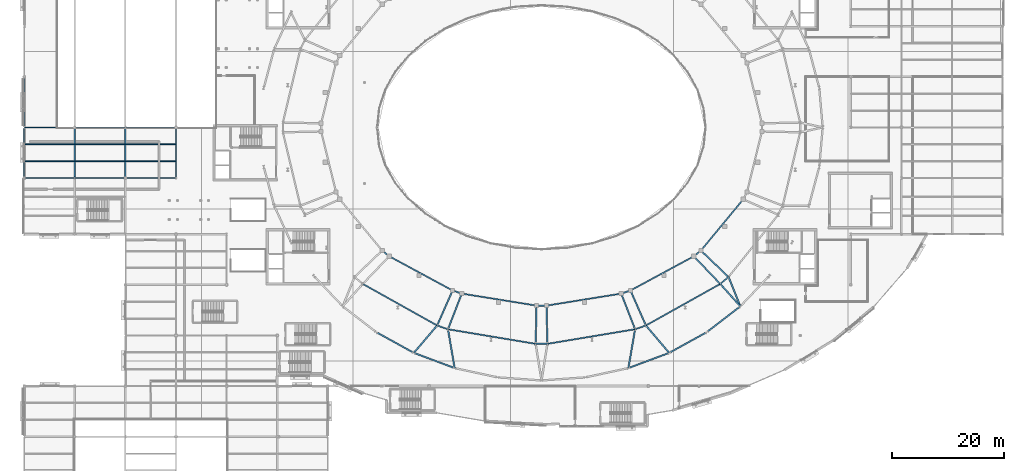
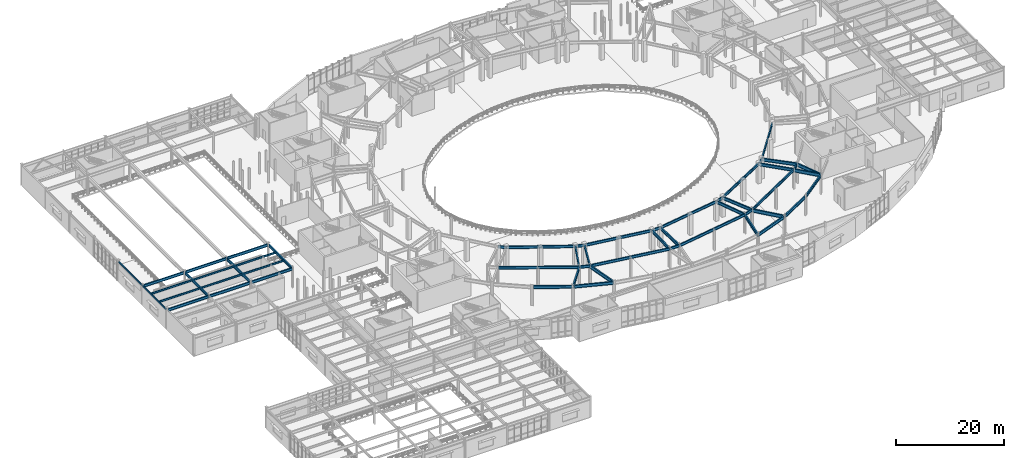
# One storey, part 37 of 86: 54 beams.
"""IFC4 building model written with IfcOpenShell, lengths in metres."""

from ifc_helpers import new_model, si_unit, direction, frame, origin, origin_2d, place, context, subcontext, project, spatial, hollow_rectangle, i_section, extrude, material, material_profile, profile_set, type_object, element, save


model = new_model("IFC4")

# Units and contexts
model_context = context("Model", 3, precision=1e-05, world=origin(), true_north=direction((0.0, 1.0)))
body_context = subcontext(model_context, "Body", "Model", "MODEL_VIEW")
ifc_project = project(units=[si_unit("LENGTHUNIT", "METRE"), si_unit("AREAUNIT", "SQUARE_METRE"), si_unit("VOLUMEUNIT", "CUBIC_METRE"), si_unit("PLANEANGLEUNIT", "RADIAN"), si_unit("MASSUNIT", "GRAM", prefix="KILO")], contexts=[model_context])

# Site, building, storey
site_placement = place(None, origin())
site = spatial("IfcSite", under=ifc_project, at=site_placement, CompositionType="ELEMENT")
building_placement = place(site_placement, origin())
building = spatial("IfcBuilding", under=site, at=building_placement, Name="Glasvene Arena", CompositionType="ELEMENT")
storey_placement = place(building_placement, frame((0.0, 0.0, 5.39990234375)))
storey = spatial("IfcBuildingStorey", under=building, at=storey_placement, Name="L01", CompositionType="ELEMENT", Elevation=5.39990234375)

# Beams
ifc_material = material(Name="Steel S355J2", Category="steel")
ifc_material_profile_1 = material_profile(ifc_material, i_section(OverallWidth=0.228271484375, OverallDepth=0.607666015625, WebThickness=0.010986328125, FlangeThickness=0.017333984375, FilletRadius=0.0126953125, at=origin_2d()), Name="UKB 610x229x113")
ifc_profile_set_1 = profile_set([ifc_material_profile_1], Name="Steel S355J2")
beam_type_1 = type_object("IfcBeamType", Name="BM-GIRD-610", PredefinedType="BEAM", material=ifc_profile_set_1)
for number, where, z_axis, x_axis, name in (
    (1, (0.223388671875, 64.0, 4.21630859375), (1.0, 0.0, 0.0), (0.0, 1.0, 0.0), "Primary X girder L01-0561"),
    (2, (9.050048828125, 64.0, 4.21630859375), (1.0, 0.0, 0.0), (0.0, 1.0, 0.0), "Primary X girder L01-0562"),
    (3, (18.223388671875, 64.0, 4.21630859375), (1.0, 0.0, 0.0), (0.0, 1.0, 0.0), "Primary X girder L01-0563"),
    (4, (0.050048828125, 73.0, 4.21630859375), (1.0, 0.0, 0.0), (0.0, 1.0, 0.0), "Primary X girder L01-0566"),
    (5, (9.223388671875, 73.0, 4.21630859375), (1.0, 0.0, 0.0), (0.0, 1.0, 0.0), "Primary X girder L01-0567"),
    (6, (18.050048828125, 73.0, 4.21630859375), (1.0, 0.0, 0.0), (0.0, 1.0, 0.0), "Primary X girder L01-0568"),
):
    element("IfcBeam", number, at=place(storey_placement, frame(where, z_axis=z_axis, x_axis=x_axis)), inside=storey, type_object=beam_type_1, Name=name, PredefinedType="BEAM", context=body_context, shape_type="SweptSolid", body=[
        extrude(i_section(OverallWidth=0.228271484375, OverallDepth=0.607666015625, WebThickness=0.010986328125, FlangeThickness=0.017333984375, FilletRadius=0.0126953125, at=origin_2d()), origin(), (0.0, 0.0, 1.0), 8.7265625),
    ])
for number, where, z_axis, x_axis, name in (
    (7, (9.0, 64.1552734375, 4.21630859375), (0.0, 1.0, 0.0), (-1.0, 0.0, 0.0), "Primary Y girder L01-0613"),
    (8, (18.0, 64.223388671875, 4.21630859375), (0.0, 1.0, 0.0), (-1.0, 0.0, 0.0), "Primary Y girder L01-0623"),
    (9, (27.0, 64.1552734375, 4.21630859375), (0.0, 1.0, 0.0), (-1.0, 0.0, 0.0), "Primary Y girder L01-0632"),
):
    element("IfcBeam", number, at=place(storey_placement, frame(where, z_axis=z_axis, x_axis=x_axis)), inside=storey, type_object=beam_type_1, Name=name, PredefinedType="BEAM", context=body_context, shape_type="SweptSolid", body=[
        extrude(i_section(OverallWidth=0.228271484375, OverallDepth=0.607666015625, WebThickness=0.010986328125, FlangeThickness=0.017333984375, FilletRadius=0.0126953125, at=origin_2d()), origin(), (0.0, 0.0, 1.0), 8.621337890625),
    ])
beam_1_placement = place(storey_placement, frame((63.65966796875, 51.09912109375, 4.215087890625), z_axis=(0.77751541262, -0.628863882839, 0.0), x_axis=(0.628863882839, 0.77751541262, 0.0)))
element("IfcBeam", 10, at=beam_1_placement, inside=storey, type_object=beam_type_1, Name="Mid-bowl ring girder L01-20", PredefinedType="BEAM", context=body_context, shape_type="SweptSolid", body=[
    extrude(i_section(OverallWidth=0.228271484375, OverallDepth=0.607666015625, WebThickness=0.010986328125, FlangeThickness=0.017333984375, FilletRadius=0.0126953125, at=origin_2d()), origin(), (0.0, 0.0, 1.0), 1.61767578125),
])
beam_2_placement = place(storey_placement, frame((60.219482421875, 45.165771484375, 4.215087890625), z_axis=(0.87279341778, -0.488089796943, 0.0), x_axis=(0.488089796943, 0.87279341778, 0.0)))
element("IfcBeam", 11, at=beam_2_placement, inside=storey, type_object=beam_type_1, Name="Concourse inner ring girder L01-21", PredefinedType="BEAM", context=body_context, shape_type="SweptSolid", body=[
    extrude(i_section(OverallWidth=0.228271484375, OverallDepth=0.607666015625, WebThickness=0.010986328125, FlangeThickness=0.017333984375, FilletRadius=0.0126953125, at=origin_2d()), origin(), (0.0, 0.0, 1.0), 15.14404296875),
])
beam_3_placement = place(storey_placement, frame((64.91748046875, 50.081787109375, 4.215087890625), z_axis=(0.879784979892, -0.475371843042, 0.0), x_axis=(0.475371843042, 0.879784979892, 0.0)))
element("IfcBeam", 12, at=beam_3_placement, inside=storey, type_object=beam_type_1, Name="Mid-bowl ring girder L01-21", PredefinedType="BEAM", context=body_context, shape_type="SweptSolid", body=[
    extrude(i_section(OverallWidth=0.228271484375, OverallDepth=0.607666015625, WebThickness=0.010986328125, FlangeThickness=0.017333984375, FilletRadius=0.0126953125, at=origin_2d()), origin(), (0.0, 0.0, 1.0), 12.802490234375),
])
beam_4_placement = place(storey_placement, frame((73.43701171875, 37.774169921875, 4.215087890625), z_axis=(0.944798184006, -0.327652852114, 0.0), x_axis=(0.327652852114, 0.944798184006, 0.0)))
element("IfcBeam", 13, at=beam_4_placement, inside=storey, type_object=beam_type_1, Name="Concourse inner ring girder L01-22", PredefinedType="BEAM", context=body_context, shape_type="SweptSolid", body=[
    extrude(i_section(OverallWidth=0.228271484375, OverallDepth=0.607666015625, WebThickness=0.010986328125, FlangeThickness=0.017333984375, FilletRadius=0.0126953125, at=origin_2d()), origin(), (0.0, 0.0, 1.0), 2.040771484375),
])
beam_5_placement = place(storey_placement, frame((76.180908203125, 43.995849609375, 4.215087890625), z_axis=(0.948203248213, -0.317664288326, 0.0), x_axis=(0.317664288326, 0.948203248213, 0.0)))
element("IfcBeam", 14, at=beam_5_placement, inside=storey, type_object=beam_type_1, Name="Mid-bowl ring girder L01-22", PredefinedType="BEAM", context=body_context, shape_type="SweptSolid", body=[
    extrude(i_section(OverallWidth=0.228271484375, OverallDepth=0.607666015625, WebThickness=0.010986328125, FlangeThickness=0.017333984375, FilletRadius=0.0126953125, at=origin_2d()), origin(), (0.0, 0.0, 1.0), 1.733154296875),
])
beam_6_placement = place(storey_placement, frame((75.365234375, 37.10546875, 4.215087890625), z_axis=(0.986425216298, -0.164211122194, 0.0), x_axis=(0.164211122194, 0.986425216298, 0.0)))
element("IfcBeam", 15, at=beam_6_placement, inside=storey, type_object=beam_type_1, Name="Concourse inner ring girder L01-23", PredefinedType="BEAM", context=body_context, shape_type="SweptSolid", body=[
    extrude(i_section(OverallWidth=0.228271484375, OverallDepth=0.607666015625, WebThickness=0.010986328125, FlangeThickness=0.017333984375, FilletRadius=0.0126953125, at=origin_2d()), origin(), (0.0, 0.0, 1.0), 15.8056640625),
])
beam_7_placement = place(storey_placement, frame((77.82421875, 43.4453125, 4.215087890625), z_axis=(0.987308283351, -0.15881547036, 0.0), x_axis=(0.15881547036, 0.987308283351, 0.0)))
element("IfcBeam", 16, at=beam_7_placement, inside=storey, type_object=beam_type_1, Name="Mid-bowl ring girder L01-23", PredefinedType="BEAM", context=body_context, shape_type="SweptSolid", body=[
    extrude(i_section(OverallWidth=0.228271484375, OverallDepth=0.607666015625, WebThickness=0.010986328125, FlangeThickness=0.017333984375, FilletRadius=0.0126953125, at=origin_2d()), origin(), (0.0, 0.0, 1.0), 13.457275390625),
])
beam_8_placement = place(storey_placement, frame((90.956298828125, 34.510009765625, 4.215087890625), z_axis=(1.0, 0.0, 0.0), x_axis=(0.0, 1.0, 0.0)))
element("IfcBeam", 17, at=beam_8_placement, inside=storey, type_object=beam_type_1, Name="Concourse inner ring girder L01-24", PredefinedType="BEAM", context=body_context, shape_type="SweptSolid", body=[
    extrude(i_section(OverallWidth=0.228271484375, OverallDepth=0.607666015625, WebThickness=0.010986328125, FlangeThickness=0.017333984375, FilletRadius=0.0126953125, at=origin_2d()), origin(), (0.0, 0.0, 1.0), 2.08740234375),
])
beam_9_placement = place(storey_placement, frame((91.110595703125, 41.30810546875, 4.215087890625), z_axis=(1.0, 0.0, 0.0), x_axis=(0.0, 1.0, 0.0)))
element("IfcBeam", 18, at=beam_9_placement, inside=storey, type_object=beam_type_1, Name="Mid-bowl ring girder L01-24", PredefinedType="BEAM", context=body_context, shape_type="SweptSolid", body=[
    extrude(i_section(OverallWidth=0.228271484375, OverallDepth=0.607666015625, WebThickness=0.010986328125, FlangeThickness=0.017333984375, FilletRadius=0.0126953125, at=origin_2d()), origin(), (0.0, 0.0, 1.0), 1.77880859375),
])
beam_10_placement = place(storey_placement, frame((93.043701171875, 34.510009765625, 4.215087890625), z_axis=(0.986425216298, 0.164211122194, 0.0), x_axis=(-0.164211122194, 0.986425216298, 0.0)))
element("IfcBeam", 19, at=beam_10_placement, inside=storey, type_object=beam_type_1, Name="Concourse inner ring girder L01-25", PredefinedType="BEAM", context=body_context, shape_type="SweptSolid", body=[
    extrude(i_section(OverallWidth=0.228271484375, OverallDepth=0.607666015625, WebThickness=0.010986328125, FlangeThickness=0.017333984375, FilletRadius=0.0126953125, at=origin_2d()), origin(), (0.0, 0.0, 1.0), 15.8056640625),
])
beam_11_placement = place(storey_placement, frame((92.889404296875, 41.30810546875, 4.215087890625), z_axis=(0.987308283351, 0.15881547036, 0.0), x_axis=(-0.15881547036, 0.987308283351, 0.0)))
element("IfcBeam", 20, at=beam_11_placement, inside=storey, type_object=beam_type_1, Name="Mid-bowl ring girder L01-25", PredefinedType="BEAM", context=body_context, shape_type="SweptSolid", body=[
    extrude(i_section(OverallWidth=0.228271484375, OverallDepth=0.607666015625, WebThickness=0.010986328125, FlangeThickness=0.017333984375, FilletRadius=0.0126953125, at=origin_2d()), origin(), (0.0, 0.0, 1.0), 13.457275390625),
])
beam_12_placement = place(storey_placement, frame((108.634765625, 37.10546875, 4.215087890625), z_axis=(0.944798184006, 0.327652852114, 0.0), x_axis=(-0.327652852114, 0.944798184006, 0.0)))
element("IfcBeam", 21, at=beam_12_placement, inside=storey, type_object=beam_type_1, Name="Concourse inner ring girder L01-26", PredefinedType="BEAM", context=body_context, shape_type="SweptSolid", body=[
    extrude(i_section(OverallWidth=0.228271484375, OverallDepth=0.607666015625, WebThickness=0.010986328125, FlangeThickness=0.017333984375, FilletRadius=0.0126953125, at=origin_2d()), origin(), (0.0, 0.0, 1.0), 2.040771484375),
])
beam_13_placement = place(storey_placement, frame((106.17578125, 43.4453125, 4.215087890625), z_axis=(0.948203248213, 0.317664288326, 0.0), x_axis=(-0.317664288326, 0.948203248213, 0.0)))
element("IfcBeam", 22, at=beam_13_placement, inside=storey, type_object=beam_type_1, Name="Mid-bowl ring girder L01-26", PredefinedType="BEAM", context=body_context, shape_type="SweptSolid", body=[
    extrude(i_section(OverallWidth=0.228271484375, OverallDepth=0.607666015625, WebThickness=0.010986328125, FlangeThickness=0.017333984375, FilletRadius=0.0126953125, at=origin_2d()), origin(), (0.0, 0.0, 1.0), 1.733154296875),
])
beam_14_placement = place(storey_placement, frame((110.56298828125, 37.774169921875, 4.215087890625), z_axis=(0.87279341778, 0.488089796943, 0.0), x_axis=(-0.488089796943, 0.87279341778, 0.0)))
element("IfcBeam", 23, at=beam_14_placement, inside=storey, type_object=beam_type_1, Name="Concourse inner ring girder L01-27", PredefinedType="BEAM", context=body_context, shape_type="SweptSolid", body=[
    extrude(i_section(OverallWidth=0.228271484375, OverallDepth=0.607666015625, WebThickness=0.010986328125, FlangeThickness=0.017333984375, FilletRadius=0.0126953125, at=origin_2d()), origin(), (0.0, 0.0, 1.0), 15.14404296875),
])
beam_15_placement = place(storey_placement, frame((107.819091796875, 43.995849609375, 4.215087890625), z_axis=(0.879784979892, 0.475371843042, 0.0), x_axis=(-0.475371843042, 0.879784979892, 0.0)))
element("IfcBeam", 24, at=beam_15_placement, inside=storey, type_object=beam_type_1, Name="Mid-bowl ring girder L01-27", PredefinedType="BEAM", context=body_context, shape_type="SweptSolid", body=[
    extrude(i_section(OverallWidth=0.228271484375, OverallDepth=0.607666015625, WebThickness=0.010986328125, FlangeThickness=0.017333984375, FilletRadius=0.0126953125, at=origin_2d()), origin(), (0.0, 0.0, 1.0), 12.802490234375),
])
beam_16_placement = place(storey_placement, frame((123.780517578125, 45.165771484375, 4.215087890625), z_axis=(0.766930434436, 0.641730246082, 0.0), x_axis=(-0.641730246082, 0.766930434436, 0.0)))
element("IfcBeam", 25, at=beam_16_placement, inside=storey, type_object=beam_type_1, Name="Concourse inner ring girder L01-28", PredefinedType="BEAM", context=body_context, shape_type="SweptSolid", body=[
    extrude(i_section(OverallWidth=0.228271484375, OverallDepth=0.607666015625, WebThickness=0.010986328125, FlangeThickness=0.017333984375, FilletRadius=0.0126953125, at=origin_2d()), origin(), (0.0, 0.0, 1.0), 1.924560546875),
])
beam_17_placement = place(storey_placement, frame((119.08251953125, 50.081787109375, 4.215087890625), z_axis=(0.77751541262, 0.628863882839, 0.0), x_axis=(-0.628863882839, 0.77751541262, 0.0)))
element("IfcBeam", 26, at=beam_17_placement, inside=storey, type_object=beam_type_1, Name="Mid-bowl ring girder L01-28", PredefinedType="BEAM", context=body_context, shape_type="SweptSolid", body=[
    extrude(i_section(OverallWidth=0.228271484375, OverallDepth=0.607666015625, WebThickness=0.010986328125, FlangeThickness=0.017333984375, FilletRadius=0.0126953125, at=origin_2d()), origin(), (0.0, 0.0, 1.0), 1.61767578125),
])
beam_18_placement = place(storey_placement, frame((120.34033203125, 51.09912109375, 4.215087890625), z_axis=(0.636971685607, 0.770887197802, 0.0), x_axis=(-0.770887197802, 0.636971685607, 0.0)))
element("IfcBeam", 27, at=beam_18_placement, inside=storey, type_object=beam_type_1, Name="Mid-bowl ring girder L01-29", PredefinedType="BEAM", context=body_context, shape_type="SweptSolid", body=[
    extrude(i_section(OverallWidth=0.228271484375, OverallDepth=0.607666015625, WebThickness=0.010986328125, FlangeThickness=0.017333984375, FilletRadius=0.0126953125, at=origin_2d()), origin(), (0.0, 0.0, 1.0), 11.8154296875),
])
ifc_material_profile_2 = material_profile(ifc_material, i_section(OverallWidth=0.253662109375, OverallDepth=0.68359375, WebThickness=0.012451171875, FlangeThickness=0.01904296875, FilletRadius=0.01513671875, at=origin_2d()), Name="UKB 686x254x140")
ifc_profile_set_2 = profile_set([ifc_material_profile_2], Name="Steel S355J2")
beam_type_2 = type_object("IfcBeamType", Name="BM-GIRD-686", PredefinedType="BEAM", material=ifc_profile_set_2)
beam_19_placement = place(storey_placement, frame((62.82080078125, 36.478271484375, 4.178466796875), z_axis=(0.875653765723, -0.482939419156, 0.0), x_axis=(0.482939419156, 0.875653765723, 0.0)))
element("IfcBeam", 28, at=beam_19_placement, inside=storey, type_object=beam_type_2, Name="Bowl ring chord beam L01-27", PredefinedType="BEAM", context=body_context, shape_type="SweptSolid", body=[
    extrude(i_section(OverallWidth=0.253662109375, OverallDepth=0.68359375, WebThickness=0.012451171875, FlangeThickness=0.01904296875, FilletRadius=0.01513671875, at=origin_2d()), origin(), (0.0, 0.0, 1.0), 7.159912109375),
])
for number, where, z_axis, x_axis, name in (
    (29, (69.525390625, 32.82080078125, 4.178466796875), (0.937013245498, -0.349293827259, 0.0), (0.349293827259, 0.937013245498, 0.0), "Bowl ring chord beam L01-28"),
    (30, (107.67578125, 30.286376953125, 4.178466796875), (0.937013245498, 0.349293827259, 0.0), (-0.349293827259, 0.937013245498, 0.0), "Bowl ring chord beam L01-33"),
):
    element("IfcBeam", number, at=place(storey_placement, frame(where, z_axis=z_axis, x_axis=x_axis)), inside=storey, type_object=beam_type_2, Name=name, PredefinedType="BEAM", context=body_context, shape_type="SweptSolid", body=[
        extrude(i_section(OverallWidth=0.253662109375, OverallDepth=0.68359375, WebThickness=0.012451171875, FlangeThickness=0.01904296875, FilletRadius=0.01513671875, at=origin_2d()), origin(), (0.0, 0.0, 1.0), 7.255859375),
    ])
beam_20_placement = place(storey_placement, frame((114.90966796875, 33.0205078125, 4.178466796875), z_axis=(0.875653765723, 0.482939419156, 0.0), x_axis=(-0.482939419156, 0.875653765723, 0.0)))
element("IfcBeam", 31, at=beam_20_placement, inside=storey, type_object=beam_type_2, Name="Bowl ring chord beam L01-34", PredefinedType="BEAM", context=body_context, shape_type="SweptSolid", body=[
    extrude(i_section(OverallWidth=0.253662109375, OverallDepth=0.68359375, WebThickness=0.012451171875, FlangeThickness=0.01904296875, FilletRadius=0.01513671875, at=origin_2d()), origin(), (0.0, 0.0, 1.0), 7.159912109375),
])
beam_21_placement = place(storey_placement, frame((121.57958984375, 36.740478515625, 4.178466796875), z_axis=(0.792832644474, 0.609439412786, 0.0), x_axis=(-0.609439412786, 0.792832644474, 0.0)))
element("IfcBeam", 32, at=beam_21_placement, inside=storey, type_object=beam_type_2, Name="Bowl ring chord beam L01-35", PredefinedType="BEAM", context=body_context, shape_type="SweptSolid", body=[
    extrude(i_section(OverallWidth=0.253662109375, OverallDepth=0.68359375, WebThickness=0.012451171875, FlangeThickness=0.01904296875, FilletRadius=0.01513671875, at=origin_2d()), origin(), (0.0, 0.0, 1.0), 7.044921875),
])
beam_22_placement = place(storey_placement, frame((76.180908203125, 43.995849609375, 4.17822265625), z_axis=(-0.403521754761, -0.914970050567, 0.0), x_axis=(0.914970050567, -0.403521754761, 0.0)))
element("IfcBeam", 33, at=beam_22_placement, inside=storey, type_object=beam_type_2, Name="Mid-to-rear radial girder L01-22", PredefinedType="BEAM", context=body_context, shape_type="SweptSolid", body=[
    extrude(i_section(OverallWidth=0.253662109375, OverallDepth=0.68359375, WebThickness=0.012451171875, FlangeThickness=0.01904296875, FilletRadius=0.01513671875, at=origin_2d()), origin(), (0.0, 0.0, 1.0), 6.7998046875),
])
beam_23_placement = place(storey_placement, frame((77.82421875, 43.4453125, 4.17822265625), z_axis=(-0.361614477563, -0.932327715783, 0.0), x_axis=(0.932327715783, -0.361614477563, 0.0)))
element("IfcBeam", 34, at=beam_23_placement, inside=storey, type_object=beam_type_2, Name="Mid-to-rear radial girder L01-23", PredefinedType="BEAM", context=body_context, shape_type="SweptSolid", body=[
    extrude(i_section(OverallWidth=0.253662109375, OverallDepth=0.68359375, WebThickness=0.012451171875, FlangeThickness=0.01904296875, FilletRadius=0.01513671875, at=origin_2d()), origin(), (0.0, 0.0, 1.0), 6.800048828125),
])
for number, where, z_axis, x_axis, name in (
    (35, (91.110595703125, 41.30810546875, 4.17822265625), (-0.022691229062, -0.999742520914, 0.0), (0.999742520914, -0.022691229062, 0.0), "Mid-to-rear radial girder L01-24"),
    (36, (92.889404296875, 41.30810546875, 4.17822265625), (0.022691229062, -0.999742520914, 0.0), (0.999742520914, 0.022691229062, 0.0), "Mid-to-rear radial girder L01-25"),
):
    element("IfcBeam", number, at=place(storey_placement, frame(where, z_axis=z_axis, x_axis=x_axis)), inside=storey, type_object=beam_type_2, Name=name, PredefinedType="BEAM", context=body_context, shape_type="SweptSolid", body=[
        extrude(i_section(OverallWidth=0.253662109375, OverallDepth=0.68359375, WebThickness=0.012451171875, FlangeThickness=0.01904296875, FilletRadius=0.01513671875, at=origin_2d()), origin(), (0.0, 0.0, 1.0), 6.7998046875),
    ])
beam_24_placement = place(storey_placement, frame((106.17578125, 43.4453125, 4.17822265625), z_axis=(0.361614477563, -0.932327715783, 0.0), x_axis=(0.932327715783, 0.361614477563, 0.0)))
element("IfcBeam", 37, at=beam_24_placement, inside=storey, type_object=beam_type_2, Name="Mid-to-rear radial girder L01-26", PredefinedType="BEAM", context=body_context, shape_type="SweptSolid", body=[
    extrude(i_section(OverallWidth=0.253662109375, OverallDepth=0.68359375, WebThickness=0.012451171875, FlangeThickness=0.01904296875, FilletRadius=0.01513671875, at=origin_2d()), origin(), (0.0, 0.0, 1.0), 6.800048828125),
])
for number, where, z_axis, x_axis, name in (
    (38, (107.819091796875, 43.995849609375, 4.17822265625), (0.403521754761, -0.914970050567, 0.0), (0.914970050567, 0.403521754761, 0.0), "Mid-to-rear radial girder L01-27"),
    (39, (119.08251953125, 50.081787109375, 4.17822265625), (0.690894054314, -0.722956019211, 0.0), (0.722956019211, 0.690894054314, 0.0), "Mid-to-rear radial girder L01-28"),
):
    element("IfcBeam", number, at=place(storey_placement, frame(where, z_axis=z_axis, x_axis=x_axis)), inside=storey, type_object=beam_type_2, Name=name, PredefinedType="BEAM", context=body_context, shape_type="SweptSolid", body=[
        extrude(i_section(OverallWidth=0.253662109375, OverallDepth=0.68359375, WebThickness=0.012451171875, FlangeThickness=0.01904296875, FilletRadius=0.01513671875, at=origin_2d()), origin(), (0.0, 0.0, 1.0), 6.7998046875),
    ])
beam_25_placement = place(storey_placement, frame((120.34033203125, 51.09912109375, 4.17822265625), z_axis=(0.722955223934, -0.690894886496, 0.0), x_axis=(0.690894886496, 0.722955223934, 0.0)))
element("IfcBeam", 40, at=beam_25_placement, inside=storey, type_object=beam_type_2, Name="Mid-to-rear radial girder L01-29", PredefinedType="BEAM", context=body_context, shape_type="SweptSolid", body=[
    extrude(i_section(OverallWidth=0.253662109375, OverallDepth=0.68359375, WebThickness=0.012451171875, FlangeThickness=0.01904296875, FilletRadius=0.01513671875, at=origin_2d()), origin(), (0.0, 0.0, 1.0), 6.80029296875),
])
ifc_material_profile_3 = material_profile(ifc_material, i_section(OverallWidth=0.2666015625, OverallDepth=0.76220703125, WebThickness=0.014404296875, FlangeThickness=0.021484375, FilletRadius=0.0166015625, at=origin_2d()), Name="UKB 762x267x173")
ifc_profile_set_3 = profile_set([ifc_material_profile_3], Name="Steel S355J2")
beam_type_3 = type_object("IfcBeamType", Name="BM-GIRD-762", PredefinedType="BEAM", material=ifc_profile_set_3)
beam_26_placement = place(storey_placement, frame((73.43701171875, 37.774169921875, 4.138916015625), z_axis=(-0.647421006623, -0.762132560768, 0.0), x_axis=(0.762132560768, -0.647421006623, 0.0)))
element("IfcBeam", 41, at=beam_26_placement, inside=storey, type_object=beam_type_3, Name="Radial concourse girder L01-22", PredefinedType="BEAM", context=body_context, shape_type="SweptSolid", body=[
    extrude(i_section(OverallWidth=0.2666015625, OverallDepth=0.76220703125, WebThickness=0.014404296875, FlangeThickness=0.021484375, FilletRadius=0.0166015625, at=origin_2d()), origin(), (0.0, 0.0, 1.0), 6.38916015625),
])
for number, where, z_axis, x_axis, name in (
    (42, (75.365234375, 37.10546875, 4.138916015625), (0.169060564867, -0.985605664253, 0.0), (0.985605664253, 0.169060564867, 0.0), "Radial concourse girder L01-23"),
    (43, (108.634765625, 37.10546875, 4.138916015625), (-0.169060564867, -0.985605664253, 0.0), (0.985605664253, -0.169060564867, 0.0), "Radial concourse girder L01-26"),
):
    element("IfcBeam", number, at=place(storey_placement, frame(where, z_axis=z_axis, x_axis=x_axis)), inside=storey, type_object=beam_type_3, Name=name, PredefinedType="BEAM", context=body_context, shape_type="SweptSolid", body=[
        extrude(i_section(OverallWidth=0.2666015625, OverallDepth=0.76220703125, WebThickness=0.014404296875, FlangeThickness=0.021484375, FilletRadius=0.0166015625, at=origin_2d()), origin(), (0.0, 0.0, 1.0), 7.00390625),
    ])
beam_27_placement = place(storey_placement, frame((110.56298828125, 37.774169921875, 4.138916015625), z_axis=(0.647421006623, -0.762132560768, 0.0), x_axis=(0.762132560768, 0.647421006623, 0.0)))
element("IfcBeam", 44, at=beam_27_placement, inside=storey, type_object=beam_type_3, Name="Radial concourse girder L01-27", PredefinedType="BEAM", context=body_context, shape_type="SweptSolid", body=[
    extrude(i_section(OverallWidth=0.2666015625, OverallDepth=0.76220703125, WebThickness=0.014404296875, FlangeThickness=0.021484375, FilletRadius=0.0166015625, at=origin_2d()), origin(), (0.0, 0.0, 1.0), 6.38916015625),
])
beam_28_placement = place(storey_placement, frame((123.780517578125, 45.165771484375, 4.138916015625), z_axis=(0.667691455448, -0.744438123904, 0.0), x_axis=(0.744438123904, 0.667691455448, 0.0)))
element("IfcBeam", 45, at=beam_28_placement, inside=storey, type_object=beam_type_3, Name="Radial concourse girder L01-28", PredefinedType="BEAM", context=body_context, shape_type="SweptSolid", body=[
    extrude(i_section(OverallWidth=0.2666015625, OverallDepth=0.76220703125, WebThickness=0.014404296875, FlangeThickness=0.021484375, FilletRadius=0.0166015625, at=origin_2d()), origin(), (0.0, 0.0, 1.0), 5.353759765625),
])
beam_29_placement = place(storey_placement, frame((125.256591796875, 46.40087890625, 4.138916015625), z_axis=(0.372976095384, -0.927840952034, 0.0), x_axis=(0.927840952034, 0.372976095384, 0.0)))
element("IfcBeam", 46, at=beam_29_placement, inside=storey, type_object=beam_type_3, Name="Radial concourse girder L01-29", PredefinedType="BEAM", context=body_context, shape_type="SweptSolid", body=[
    extrude(i_section(OverallWidth=0.2666015625, OverallDepth=0.76220703125, WebThickness=0.014404296875, FlangeThickness=0.021484375, FilletRadius=0.0166015625, at=origin_2d()), origin(), (0.0, 0.0, 1.0), 5.626708984375),
])
ifc_material_profile_4 = material_profile(ifc_material, i_section(OverallWidth=0.177978515625, OverallDepth=0.406494140625, WebThickness=0.0078125, FlangeThickness=0.0126953125, FilletRadius=0.01025390625, at=origin_2d()), Name="UKB 406x178x60")
ifc_profile_set_4 = profile_set([ifc_material_profile_4], Name="Steel S355J2")
beam_type_4 = type_object("IfcBeamType", Name="BM-JOIST-406", PredefinedType="JOIST", material=ifc_profile_set_4)
for number, where, z_axis, x_axis, name in (
    (47, (0.095947265625, 67.0, 4.31689453125), (1.0, 0.0, 0.0), (0.0, 1.0, 0.0), "Composite floor joist L01-0685"),
    (48, (0.095947265625, 70.0, 4.31689453125), (1.0, 0.0, 0.0), (0.0, 1.0, 0.0), "Composite floor joist L01-0686"),
):
    element("IfcBeam", number, at=place(storey_placement, frame(where, z_axis=z_axis, x_axis=x_axis)), inside=storey, type_object=beam_type_4, Name=name, PredefinedType="JOIST", context=body_context, shape_type="SweptSolid", body=[
        extrude(i_section(OverallWidth=0.177978515625, OverallDepth=0.406494140625, WebThickness=0.0078125, FlangeThickness=0.0126953125, FilletRadius=0.01025390625, at=origin_2d()), origin(), (0.0, 0.0, 1.0), 8.7939453125),
    ])
for number, where, z_axis, x_axis, name in (
    (49, (9.110107421875, 67.0, 4.31689453125), (1.0, 0.0, 0.0), (0.0, 1.0, 0.0), "Composite floor joist L01-0694"),
    (50, (9.110107421875, 70.0, 4.31689453125), (1.0, 0.0, 0.0), (0.0, 1.0, 0.0), "Composite floor joist L01-0695"),
    (51, (18.110107421875, 67.0, 4.31689453125), (1.0, 0.0, 0.0), (0.0, 1.0, 0.0), "Composite floor joist L01-0709"),
    (52, (18.110107421875, 70.0, 4.31689453125), (1.0, 0.0, 0.0), (0.0, 1.0, 0.0), "Composite floor joist L01-0710"),
):
    element("IfcBeam", number, at=place(storey_placement, frame(where, z_axis=z_axis, x_axis=x_axis)), inside=storey, type_object=beam_type_4, Name=name, PredefinedType="JOIST", context=body_context, shape_type="SweptSolid", body=[
        extrude(i_section(OverallWidth=0.177978515625, OverallDepth=0.406494140625, WebThickness=0.0078125, FlangeThickness=0.0126953125, FilletRadius=0.01025390625, at=origin_2d()), origin(), (0.0, 0.0, 1.0), 8.77978515625),
    ])
ifc_material_profile_5 = material_profile(ifc_material, hollow_rectangle(XDim=0.199951171875, YDim=0.300048828125, WallThickness=0.012451171875, at=origin_2d()), Name="RHS 300x200x12.5")
ifc_profile_set_5 = profile_set([ifc_material_profile_5], Name="Steel S355J2")
beam_type_5 = type_object("IfcBeamType", Name="BM-SPAND-300", PredefinedType="SPANDREL", material=ifc_profile_set_5)
for number, where, z_axis, x_axis, name in (
    (53, (0.0, 64.223388671875, 4.3701171875), (0.0, 1.0, 0.0), (-1.0, 0.0, 0.0), "Primary Y girder L01-0603"),
    (54, (0.0, 73.1552734375, 4.3701171875), (0.0, 1.0, 0.0), (-1.0, 0.0, 0.0), "Primary Y girder L01-0604"),
):
    element("IfcBeam", number, at=place(storey_placement, frame(where, z_axis=z_axis, x_axis=x_axis)), inside=storey, type_object=beam_type_5, Name=name, PredefinedType="SPANDREL", context=body_context, shape_type="SweptSolid", body=[
        extrude(hollow_rectangle(XDim=0.199951171875, YDim=0.300048828125, WallThickness=0.012451171875, at=origin_2d()), origin(), (0.0, 0.0, 1.0), 8.621337890625),
    ])

save(model, "model.ifc")
